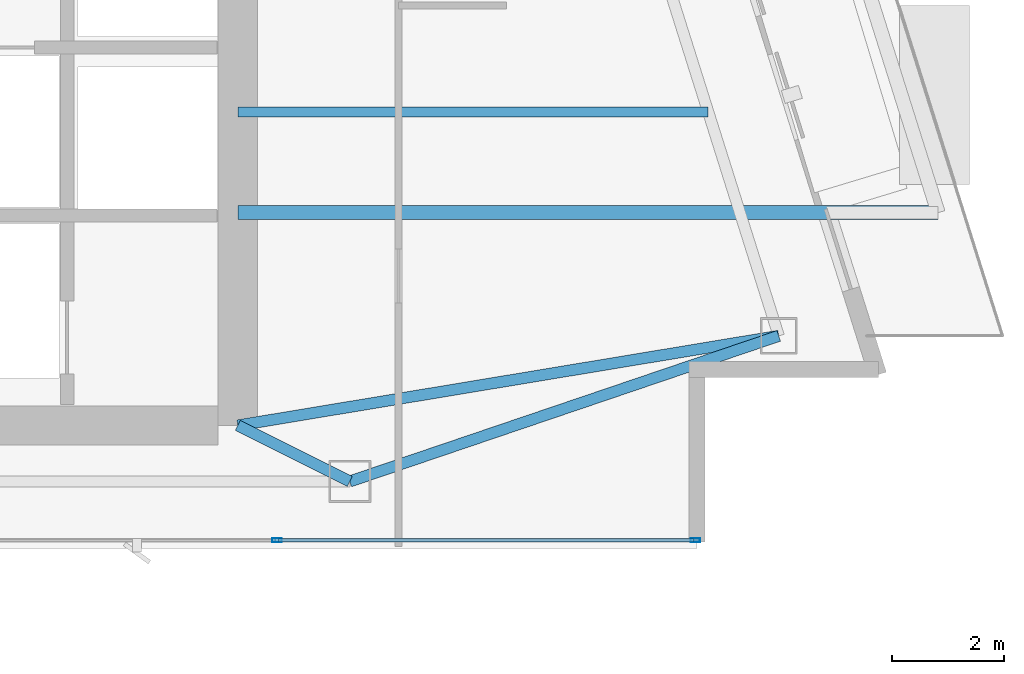
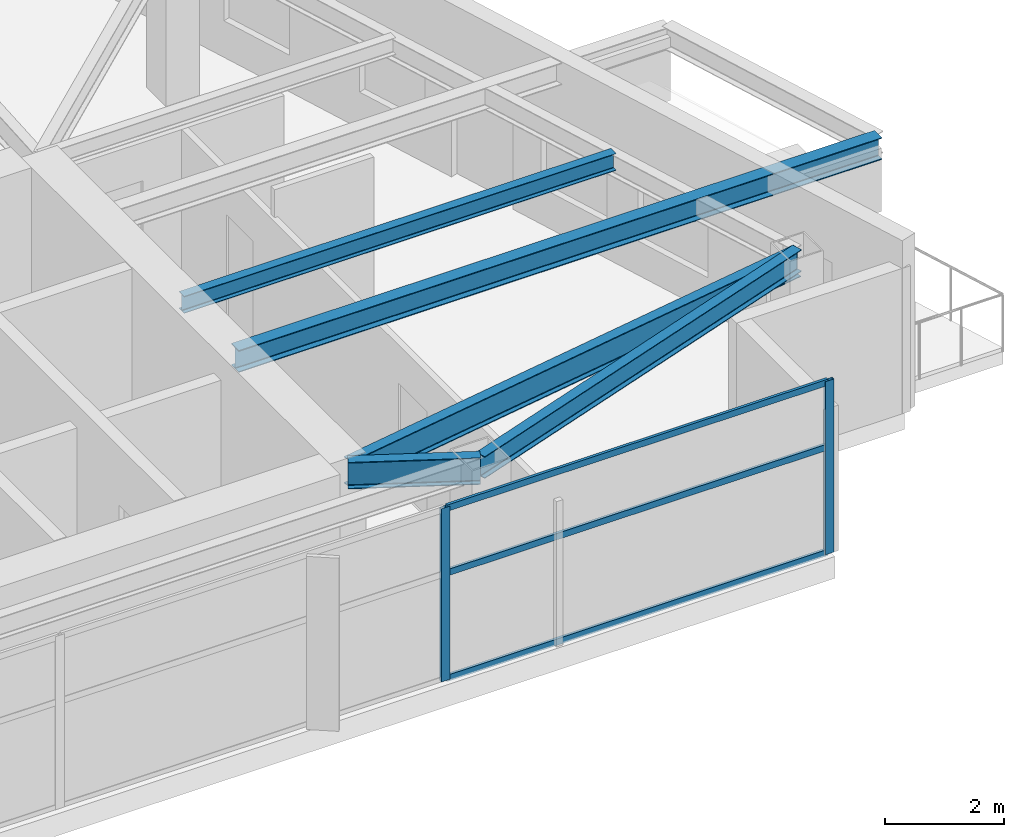
# One storey, part 14 of 28: 5 beams, 5 members, 1 element without a shape of its own.
"""IFC4 building model written with IfcOpenShell, lengths in metres."""

from ifc_helpers import new_model, si_unit, direction, frame, origin, origin_2d, place, context, subcontext, project, spatial, hollow_rectangle, i_section, extrude, material, layer, layer_set, material_profile, profile_set, type_object, element, aggregate, save


model = new_model("IFC4")

# Units and contexts
model_context = context("Model", 3, precision=1e-05, world=origin(), true_north=direction((0.0, 1.0)))
body_context = subcontext(model_context, "Body", "Model", "MODEL_VIEW")
ifc_project = project(units=[si_unit("LENGTHUNIT", "METRE"), si_unit("AREAUNIT", "SQUARE_METRE"), si_unit("VOLUMEUNIT", "CUBIC_METRE"), si_unit("PLANEANGLEUNIT", "RADIAN"), si_unit("MASSUNIT", "GRAM", prefix="KILO")], contexts=[model_context])

# Site, building, storey
site_placement = place(None, origin())
site = spatial("IfcSite", under=ifc_project, at=site_placement, CompositionType="ELEMENT")
building_placement = place(site_placement, origin())
building = spatial("IfcBuilding", under=site, at=building_placement, Name="Calvorn Quay Hotel", CompositionType="ELEMENT")
storey_placement = place(building_placement, frame((0.0, 0.0, 263.5)))
storey = spatial("IfcBuildingStorey", under=building, at=storey_placement, Name="L65", CompositionType="ELEMENT", Elevation=263.5)

# Beams
ifc_material_1 = material(Name="Steel Q355B", Category="steel")
ifc_material_profile_1 = material_profile(ifc_material_1, i_section(OverallWidth=0.25, OverallDepth=0.449951171875, WebThickness=0.011962890625, FlangeThickness=0.01611328125, FilletRadius=0.01611328125, at=origin_2d()), Name="HN450x250x12x16")
ifc_profile_set_1 = profile_set([ifc_material_profile_1], Name="Steel Q355B")
beam_type_1 = type_object("IfcBeamType", Name="BM-CANT-BALC", PredefinedType="BEAM", material=ifc_profile_set_1)
beam_1_placement = place(storey_placement, frame((32.39990234375, 8.39990234375, 3.31494140625), z_axis=(1.0, 0.0, 0.0), x_axis=(0.0, 1.0, 0.0)))
element("IfcBeam", 1, at=beam_1_placement, inside=storey, type_object=beam_type_1, Name="Cantilever Balcony Beam BCB-L66-1A", PredefinedType="BEAM", context=body_context, shape_type="SweptSolid", body=[
    extrude(i_section(OverallWidth=0.25, OverallDepth=0.449951171875, WebThickness=0.011962890625, FlangeThickness=0.01611328125, FilletRadius=0.01611328125, at=origin_2d()), origin(), (0.0, 0.0, 1.0), 12.508056640625),
])
ifc_material_2 = material(Name="Steel Q355B", Category="steel")
ifc_material_profile_2 = material_profile(ifc_material_2, i_section(OverallWidth=0.199951171875, OverallDepth=0.550048828125, WebThickness=0.010009765625, FlangeThickness=0.01611328125, FilletRadius=0.01806640625, at=origin_2d()), Name="HN550x200x10x16")
ifc_profile_set_2 = profile_set([ifc_material_profile_2], Name="Steel Q355B")
beam_type_2 = type_object("IfcBeamType", Name="BM-GIRD-UPP", PredefinedType="BEAM", material=ifc_profile_set_2)
beam_2_placement = place(storey_placement, frame((34.39990234375, 3.60009765625, 3.264892578125), z_axis=(-0.894427191, 0.4472135955, 0.0), x_axis=(-0.4472135955, -0.894427191, 0.0)))
element("IfcBeam", 2, at=beam_2_placement, inside=storey, type_object=beam_type_2, Name="Beam BG-L65-S3", PredefinedType="BEAM", context=body_context, shape_type="SweptSolid", body=[
    extrude(i_section(OverallWidth=0.199951171875, OverallDepth=0.550048828125, WebThickness=0.010009765625, FlangeThickness=0.01611328125, FilletRadius=0.01806640625, at=origin_2d()), origin(), (0.0, 0.0, 1.0), 2.236083984375),
])
beam_3_placement = place(storey_placement, frame((32.39990234375, 4.60009765625, 3.264892578125), z_axis=(0.986564536395, 0.163372015743, 0.0), x_axis=(-0.163372015743, 0.986564536395, 0.0)))
element("IfcBeam", 3, at=beam_3_placement, inside=storey, type_object=beam_type_2, Name="Beam BG-L65-E1", PredefinedType="BEAM", context=body_context, shape_type="SweptSolid", body=[
    extrude(i_section(OverallWidth=0.199951171875, OverallDepth=0.550048828125, WebThickness=0.010009765625, FlangeThickness=0.01611328125, FilletRadius=0.01806640625, at=origin_2d()), origin(), (0.0, 0.0, 1.0), 9.792724609375),
])
ifc_material_3 = material(Name="Steel Q355B", Category="steel")
ifc_material_profile_3 = material_profile(ifc_material_3, i_section(OverallWidth=0.175048828125, OverallDepth=0.35009765625, WebThickness=0.007080078125, FlangeThickness=0.010986328125, FilletRadius=0.013916015625, at=origin_2d()), Name="HN350x175x7x11")
ifc_profile_set_3 = profile_set([ifc_material_profile_3], Name="Steel Q355B")
beam_type_3 = type_object("IfcBeamType", Name="BM-JOIST-SEC", PredefinedType="JOIST", material=ifc_profile_set_3)
beam_4_placement = place(storey_placement, frame((32.39990234375, 10.199951171875, 3.364990234375), z_axis=(1.0, 0.0, 0.0), x_axis=(0.0, 1.0, 0.0)))
element("IfcBeam", 4, at=beam_4_placement, inside=storey, type_object=beam_type_3, Name="Beam BJ-L65-E1", PredefinedType="JOIST", context=body_context, shape_type="SweptSolid", body=[
    extrude(i_section(OverallWidth=0.175048828125, OverallDepth=0.35009765625, WebThickness=0.007080078125, FlangeThickness=0.010986328125, FilletRadius=0.013916015625, at=origin_2d()), origin(), (0.0, 0.0, 1.0), 8.401123046875),
])
ifc_material_4 = material(Name="Steel Q355B", Category="steel")
ifc_material_profile_4 = material_profile(ifc_material_4, i_section(OverallWidth=0.199951171875, OverallDepth=0.449951171875, WebThickness=0.009033203125, FlangeThickness=0.013916015625, FilletRadius=0.01611328125, at=origin_2d()), Name="HN450x200x9x14")
ifc_profile_set_4 = profile_set([ifc_material_profile_4], Name="Steel Q355B")
beam_type_4 = type_object("IfcBeamType", Name="BM-SPANDREL-Z3", PredefinedType="SPANDREL", material=ifc_profile_set_4)
beam_5_placement = place(storey_placement, frame((34.39990234375, 3.60009765625, 3.31494140625), z_axis=(0.946958367473, 0.321356266897, 0.0), x_axis=(-0.321356266897, 0.946958367473, 0.0)))
element("IfcBeam", 5, at=beam_5_placement, inside=storey, type_object=beam_type_4, Name="Beam BSP-L65-S4", PredefinedType="SPANDREL", context=body_context, shape_type="SweptSolid", body=[
    extrude(i_section(OverallWidth=0.199951171875, OverallDepth=0.449951171875, WebThickness=0.009033203125, FlangeThickness=0.013916015625, FilletRadius=0.01611328125, at=origin_2d()), origin(), (0.0, 0.0, 1.0), 8.09033203125),
])

# Curtain wall, members
ifc_material_5 = material(Name="Champagne Bronze Anodised Aluminium and Low-E Glass", Category="aluminium")
ifc_layer = layer(ifc_material_5, 0.219970703125)
ifc_layer_set = layer_set([ifc_layer], Name="CW-SYS-Z4")
curtain_wall_type = type_object("IfcCurtainWallType", Name="CW-SYS-Z4", PredefinedType="NOTDEFINED", material=ifc_layer_set)
curtain_wall_placement = place(storey_placement, origin())
curtain_wall = element("IfcCurtainWall", 6, at=curtain_wall_placement, inside=storey, type_object=curtain_wall_type, Name="Tower South Waterfront Curtain Wall (L65)", PredefinedType="NOTDEFINED")
ifc_material_6 = material(Name="Champagne Bronze Anodised Aluminium 6063-T6", Category="aluminium")
ifc_material_profile_5 = material_profile(ifc_material_6, hollow_rectangle(XDim=0.06494140625, YDim=0.169921875, WallThickness=0.00341796875, at=origin_2d()), Name="ALU-M170x65x3.5")
ifc_profile_set_5 = profile_set([ifc_material_profile_5], Name="Champagne Bronze Anodised Aluminium 6063-T6")
member_type_1 = type_object("IfcMemberType", Name="CW-SYS-Z4-MUL", PredefinedType="MULLION", material=ifc_profile_set_5)
member_1_placement = place(storey_placement, frame((33.10009765625, 2.550048828125, 0.0), z_axis=(0.0, 0.0, 1.0), x_axis=(0.0, 1.0, 0.0)))
member_1 = element("IfcMember", 7, at=member_1_placement, type_object=member_type_1, Name="CW-L65-S mullion 4", PredefinedType="MULLION", context=body_context, shape_type="SweptSolid", body=[
    extrude(hollow_rectangle(XDim=0.06494140625, YDim=0.169921875, WallThickness=0.00341796875, at=origin_2d()), origin(), (0.0, 0.0, 1.0), 3.56005859375),
])
member_2_placement = place(storey_placement, frame((40.570068359375, 2.550048828125, 0.0), z_axis=(0.0, 0.0, 1.0), x_axis=(0.0, 1.0, 0.0)))
member_2 = element("IfcMember", 8, at=member_2_placement, type_object=member_type_1, Name="CW-L65-S mullion 5", PredefinedType="MULLION", context=body_context, shape_type="SweptSolid", body=[
    extrude(hollow_rectangle(XDim=0.06494140625, YDim=0.169921875, WallThickness=0.00341796875, at=origin_2d()), origin(), (0.0, 0.0, 1.0), 3.56005859375),
])
ifc_material_7 = material(Name="Champagne Bronze Anodised Aluminium 6063-T6", Category="aluminium")
ifc_material_profile_6 = material_profile(ifc_material_7, hollow_rectangle(XDim=0.054931640625, YDim=0.1298828125, WallThickness=0.003173828125, at=origin_2d()), Name="ALU-T130x55x3.2")
ifc_profile_set_6 = profile_set([ifc_material_profile_6], Name="Champagne Bronze Anodised Aluminium 6063-T6")
member_type_2 = type_object("IfcMemberType", Name="CW-SYS-Z4-TRN", PredefinedType="USERDEFINED", material=ifc_profile_set_6)
member_3_placement = place(storey_placement, frame((33.1298828125, 2.550048828125, 0.030029296875), z_axis=(1.0, 0.0, 0.0), x_axis=(0.0, 1.0, 0.0)))
member_3 = element("IfcMember", 9, at=member_3_placement, type_object=member_type_2, Name="CW-L65-S transom 4.1", ObjectType="TRANSOM", PredefinedType="USERDEFINED", context=body_context, shape_type="SweptSolid", body=[
    extrude(hollow_rectangle(XDim=0.054931640625, YDim=0.1298828125, WallThickness=0.003173828125, at=origin_2d()), origin(), (0.0, 0.0, 1.0), 7.41015625),
])
member_4_placement = place(storey_placement, frame((33.1298828125, 2.550048828125, 2.199951171875), z_axis=(1.0, 0.0, 0.0), x_axis=(0.0, 1.0, 0.0)))
member_4 = element("IfcMember", 10, at=member_4_placement, type_object=member_type_2, Name="CW-L65-S transom 4.2", ObjectType="TRANSOM", PredefinedType="USERDEFINED", context=body_context, shape_type="SweptSolid", body=[
    extrude(hollow_rectangle(XDim=0.054931640625, YDim=0.1298828125, WallThickness=0.003173828125, at=origin_2d()), origin(), (0.0, 0.0, 1.0), 7.41015625),
])
member_5_placement = place(storey_placement, frame((33.1298828125, 2.550048828125, 3.530029296875), z_axis=(1.0, 0.0, 0.0), x_axis=(0.0, 1.0, 0.0)))
member_5 = element("IfcMember", 11, at=member_5_placement, type_object=member_type_2, Name="CW-L65-S transom 4.3", ObjectType="TRANSOM", PredefinedType="USERDEFINED", context=body_context, shape_type="SweptSolid", body=[
    extrude(hollow_rectangle(XDim=0.054931640625, YDim=0.1298828125, WallThickness=0.003173828125, at=origin_2d()), origin(), (0.0, 0.0, 1.0), 7.41015625),
])
aggregate(curtain_wall, [member_1, member_2, member_3, member_4, member_5])

save(model, "model.ifc")
